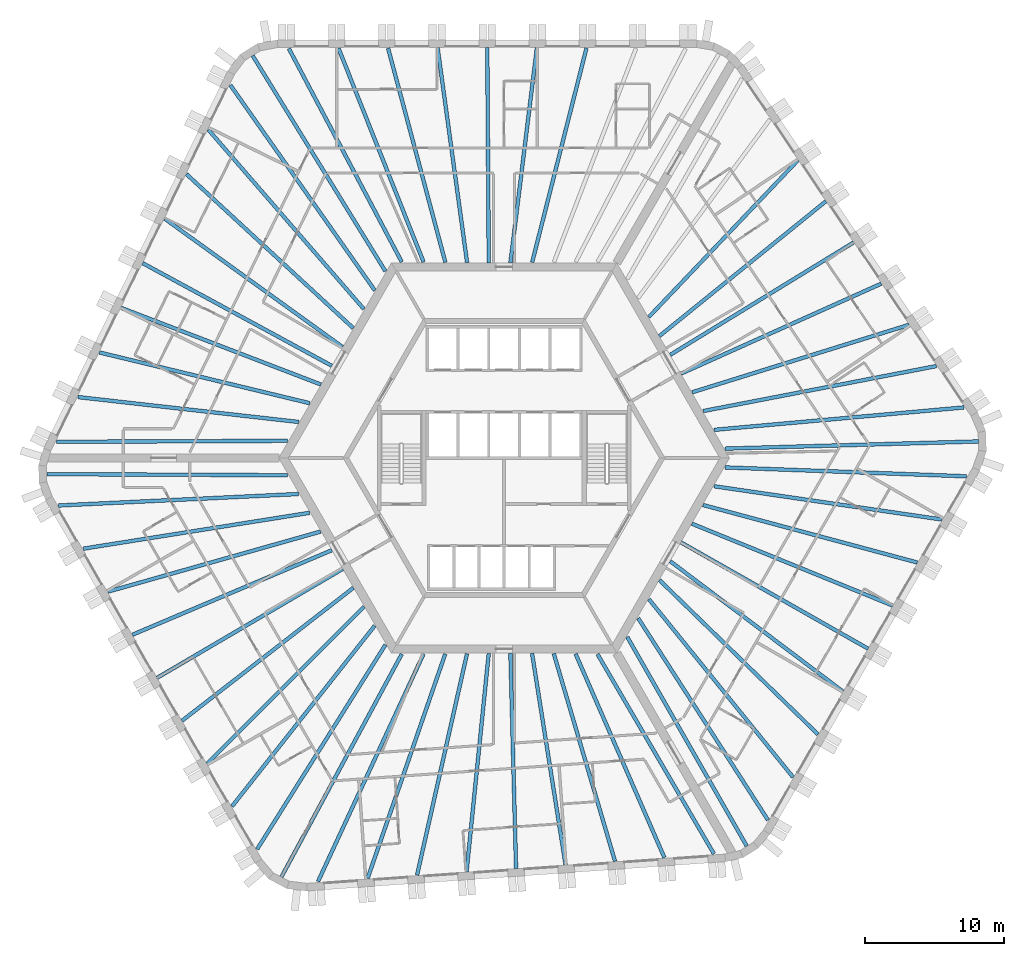
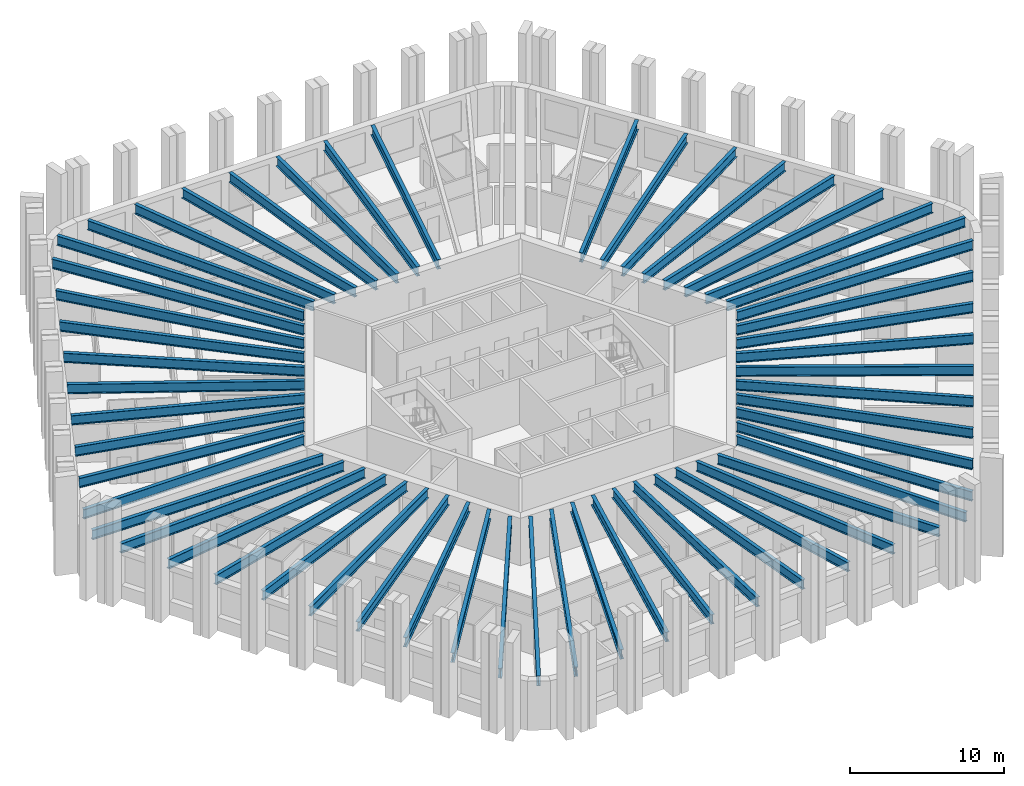
# One storey, part 1 of 13: 55 beams.
"""IFC4 building model written with IfcOpenShell, lengths in metres."""

from ifc_helpers import new_model, si_unit, direction, frame, origin, origin_2d, place, context, subcontext, project, spatial, i_section, extrude, material, material_profile, profile_set, type_object, element, save


model = new_model("IFC4")

# Units and contexts
model_context = context("Model", 3, precision=1e-05, world=origin(), true_north=direction((0.0, 1.0)))
body_context = subcontext(model_context, "Body", "Model", "MODEL_VIEW")
ifc_project = project(units=[si_unit("LENGTHUNIT", "METRE"), si_unit("AREAUNIT", "SQUARE_METRE"), si_unit("VOLUMEUNIT", "CUBIC_METRE"), si_unit("PLANEANGLEUNIT", "RADIAN"), si_unit("MASSUNIT", "GRAM", prefix="KILO")], contexts=[model_context])

# Site, building, storey
site_placement = place(None, origin())
site = spatial("IfcSite", under=ifc_project, at=site_placement, CompositionType="ELEMENT")
building_placement = place(site_placement, origin())
building = spatial("IfcBuilding", under=site, at=building_placement, Name="Tarnside Tower", CompositionType="ELEMENT")
storey_placement = place(building_placement, frame((0.0, 0.0, 92.10009765625)))
storey = spatial("IfcBuildingStorey", under=building, at=storey_placement, Name="L20", CompositionType="ELEMENT", Elevation=92.10009765625)

# Beams
ifc_material = material(Name="Steel S355", Category="steel")
ifc_material_profile_1 = material_profile(ifc_material, i_section(OverallWidth=0.26513671875, OverallDepth=0.75390625, WebThickness=0.0126953125, FlangeThickness=0.017578125, FilletRadius=0.0166015625, at=origin_2d()), Name="UB 762x267x147")
ifc_profile_set_1 = profile_set([ifc_material_profile_1], Name="Steel S355")
beam_type_1 = type_object("IfcBeamType", Name="Floor beam UB 762x267x147", PredefinedType="BEAM", material=ifc_profile_set_1)
beam_1_placement = place(storey_placement, frame((2.3525390625, 29.43017578125, 3.372802734375), z_axis=(-0.122329629165, -0.992489527314, 0.0), x_axis=(0.992489527314, -0.122329629165, 0.0)))
element("IfcBeam", 1, at=beam_1_placement, inside=storey, type_object=beam_type_1, Name="Floor beam F1.04", PredefinedType="BEAM", context=body_context, shape_type="SweptSolid", body=[
    extrude(i_section(OverallWidth=0.26513671875, OverallDepth=0.75390625, WebThickness=0.0126953125, FlangeThickness=0.017578125, FilletRadius=0.0166015625, at=origin_2d()), origin(), (0.0, 0.0, 1.0), 15.527099609375),
])
beam_2_placement = place(storey_placement, frame((-1.208984375, 29.449951171875, 3.372802734375), z_axis=(0.007000128723, -0.999975498799, 0.0), x_axis=(0.999975498799, 0.007000128723, 0.0)))
element("IfcBeam", 2, at=beam_2_placement, inside=storey, type_object=beam_type_1, Name="Floor beam F1.05", PredefinedType="BEAM", context=body_context, shape_type="SweptSolid", body=[
    extrude(i_section(OverallWidth=0.26513671875, OverallDepth=0.75390625, WebThickness=0.0126953125, FlangeThickness=0.017578125, FilletRadius=0.0166015625, at=origin_2d()), origin(), (0.0, 0.0, 1.0), 15.450439453125),
])
beam_3_placement = place(storey_placement, frame((-4.7705078125, 29.43017578125, 3.372802734375), z_axis=(0.136000560933, -0.990708760144, 0.0), x_axis=(0.990708760144, 0.136000560933, 0.0)))
element("IfcBeam", 3, at=beam_3_placement, inside=storey, type_object=beam_type_1, Name="Floor beam F1.06", PredefinedType="BEAM", context=body_context, shape_type="SweptSolid", body=[
    extrude(i_section(OverallWidth=0.26513671875, OverallDepth=0.75390625, WebThickness=0.0126953125, FlangeThickness=0.017578125, FilletRadius=0.0166015625, at=origin_2d()), origin(), (0.0, 0.0, 1.0), 15.554931640625),
])
beam_4_placement = place(storey_placement, frame((-24.348876953125, 17.168212890625, 3.372802734375), z_axis=(0.811027744825, -0.585007689799, 0.0), x_axis=(0.585007689799, 0.811027744825, 0.0)))
element("IfcBeam", 4, at=beam_4_placement, inside=storey, type_object=beam_type_1, Name="Floor beam F2.04", PredefinedType="BEAM", context=body_context, shape_type="SweptSolid", body=[
    extrude(i_section(OverallWidth=0.26513671875, OverallDepth=0.75390625, WebThickness=0.0126953125, FlangeThickness=0.017578125, FilletRadius=0.0166015625, at=origin_2d()), origin(), (0.0, 0.0, 1.0), 15.731689453125),
])
beam_5_placement = place(storey_placement, frame((-25.92626953125, 13.978271484375, 3.372802734375), z_axis=(0.878894567679, -0.477016078245, 0.0), x_axis=(0.477016078245, 0.878894567679, 0.0)))
element("IfcBeam", 5, at=beam_5_placement, inside=storey, type_object=beam_type_1, Name="Floor beam F2.05", PredefinedType="BEAM", context=body_context, shape_type="SweptSolid", body=[
    extrude(i_section(OverallWidth=0.26513671875, OverallDepth=0.75390625, WebThickness=0.0126953125, FlangeThickness=0.017578125, FilletRadius=0.0166015625, at=origin_2d()), origin(), (0.0, 0.0, 1.0), 15.427490234375),
])
beam_6_placement = place(storey_placement, frame((-27.487548828125, 10.77734375, 3.372802734375), z_axis=(0.933617702452, -0.358270827264, 0.0), x_axis=(0.358270827264, 0.933617702452, 0.0)))
element("IfcBeam", 6, at=beam_6_placement, inside=storey, type_object=beam_type_1, Name="Floor beam F2.06", PredefinedType="BEAM", context=body_context, shape_type="SweptSolid", body=[
    extrude(i_section(OverallWidth=0.26513671875, OverallDepth=0.75390625, WebThickness=0.0126953125, FlangeThickness=0.017578125, FilletRadius=0.0166015625, at=origin_2d()), origin(), (0.0, 0.0, 1.0), 15.363037109375),
])
beam_7_placement = place(storey_placement, frame((-29.029296875, 7.572509765625, 3.372802734375), z_axis=(0.972101750991, -0.234559556873, 0.0), x_axis=(0.234559556873, 0.972101750991, 0.0)))
element("IfcBeam", 7, at=beam_7_placement, inside=storey, type_object=beam_type_1, Name="Floor beam F2.07", PredefinedType="BEAM", context=body_context, shape_type="SweptSolid", body=[
    extrude(i_section(OverallWidth=0.26513671875, OverallDepth=0.75390625, WebThickness=0.0126953125, FlangeThickness=0.017578125, FilletRadius=0.0166015625, at=origin_2d()), origin(), (0.0, 0.0, 1.0), 15.522216796875),
])
beam_8_placement = place(storey_placement, frame((-26.66357421875, -12.677734375, 3.372802734375), z_axis=(0.920684021494, 0.390308765679, 0.0), x_axis=(-0.390308765679, 0.920684021494, 0.0)))
element("IfcBeam", 8, at=beam_8_placement, inside=storey, type_object=beam_type_1, Name="Floor beam F3.04", PredefinedType="BEAM", context=body_context, shape_type="SweptSolid", body=[
    extrude(i_section(OverallWidth=0.26513671875, OverallDepth=0.75390625, WebThickness=0.0126953125, FlangeThickness=0.017578125, FilletRadius=0.0166015625, at=origin_2d()), origin(), (0.0, 0.0, 1.0), 15.52685546875),
])
beam_9_placement = place(storey_placement, frame((-24.89990234375, -15.772216796875, 3.372802734375), z_axis=(0.862497502004, 0.506061319443, 0.0), x_axis=(-0.506061319443, 0.862497502004, 0.0)))
element("IfcBeam", 9, at=beam_9_placement, inside=storey, type_object=beam_type_1, Name="Floor beam F3.05", PredefinedType="BEAM", context=body_context, shape_type="SweptSolid", body=[
    extrude(i_section(OverallWidth=0.26513671875, OverallDepth=0.75390625, WebThickness=0.0126953125, FlangeThickness=0.017578125, FilletRadius=0.0166015625, at=origin_2d()), origin(), (0.0, 0.0, 1.0), 15.450439453125),
])
beam_10_placement = place(storey_placement, frame((-23.10205078125, -18.846435546875, 3.372802734375), z_axis=(0.789983963813, 0.613127504617, 0.0), x_axis=(-0.613127504617, 0.789983963813, 0.0)))
element("IfcBeam", 10, at=beam_10_placement, inside=storey, type_object=beam_type_1, Name="Floor beam F3.06", PredefinedType="BEAM", context=body_context, shape_type="SweptSolid", body=[
    extrude(i_section(OverallWidth=0.26513671875, OverallDepth=0.75390625, WebThickness=0.0126953125, FlangeThickness=0.017578125, FilletRadius=0.0166015625, at=origin_2d()), origin(), (0.0, 0.0, 1.0), 15.554931640625),
])
beam_11_placement = place(storey_placement, frame((-2.693603515625, -29.6708984375, 3.372802734375), z_axis=(0.101123115756, 0.994873919379, 0.0), x_axis=(-0.994873919379, 0.101123115756, 0.0)))
element("IfcBeam", 11, at=beam_11_placement, inside=storey, type_object=beam_type_1, Name="Floor beam F4.04", PredefinedType="BEAM", context=body_context, shape_type="SweptSolid", body=[
    extrude(i_section(OverallWidth=0.26513671875, OverallDepth=0.75390625, WebThickness=0.0126953125, FlangeThickness=0.017578125, FilletRadius=0.0166015625, at=origin_2d()), origin(), (0.0, 0.0, 1.0), 15.7314453125),
])
beam_12_placement = place(storey_placement, frame((0.857666015625, -29.44189453125, 3.372802734375), z_axis=(-0.026333316788, 0.999653218085, 0.0), x_axis=(-0.999653218085, -0.026333316788, 0.0)))
element("IfcBeam", 12, at=beam_12_placement, inside=storey, type_object=beam_type_1, Name="Floor beam F4.05", PredefinedType="BEAM", context=body_context, shape_type="SweptSolid", body=[
    extrude(i_section(OverallWidth=0.26513671875, OverallDepth=0.75390625, WebThickness=0.0126953125, FlangeThickness=0.017578125, FilletRadius=0.0166015625, at=origin_2d()), origin(), (0.0, 0.0, 1.0), 15.42724609375),
])
beam_13_placement = place(storey_placement, frame((4.41015625, -29.193603515625, 3.372802734375), z_axis=(-0.156513375907, 0.98767583911, 0.0), x_axis=(-0.98767583911, -0.156513375907, 0.0)))
element("IfcBeam", 13, at=beam_13_placement, inside=storey, type_object=beam_type_1, Name="Floor beam F4.06", PredefinedType="BEAM", context=body_context, shape_type="SweptSolid", body=[
    extrude(i_section(OverallWidth=0.26513671875, OverallDepth=0.75390625, WebThickness=0.0126953125, FlangeThickness=0.017578125, FilletRadius=0.0166015625, at=origin_2d()), origin(), (0.0, 0.0, 1.0), 15.36328125),
])
beam_14_placement = place(storey_placement, frame((7.956787109375, -28.926513671875, 3.372802734375), z_axis=(-0.282920694328, 0.959143305623, 0.0), x_axis=(-0.959143305623, -0.282920694328, 0.0)))
element("IfcBeam", 14, at=beam_14_placement, inside=storey, type_object=beam_type_1, Name="Floor beam F4.07", PredefinedType="BEAM", context=body_context, shape_type="SweptSolid", body=[
    extrude(i_section(OverallWidth=0.26513671875, OverallDepth=0.75390625, WebThickness=0.0126953125, FlangeThickness=0.017578125, FilletRadius=0.0166015625, at=origin_2d()), origin(), (0.0, 0.0, 1.0), 15.5224609375),
])
beam_15_placement = place(storey_placement, frame((24.31103515625, -16.75244140625, 3.372802734375), z_axis=(-0.798361152727, 0.602178935049, 0.0), x_axis=(-0.602178935049, -0.798361152727, 0.0)))
element("IfcBeam", 15, at=beam_15_placement, inside=storey, type_object=beam_type_1, Name="Floor beam F5.04", PredefinedType="BEAM", context=body_context, shape_type="SweptSolid", body=[
    extrude(i_section(OverallWidth=0.26513671875, OverallDepth=0.75390625, WebThickness=0.0126953125, FlangeThickness=0.017578125, FilletRadius=0.0166015625, at=origin_2d()), origin(), (0.0, 0.0, 1.0), 15.527099609375),
])
beam_16_placement = place(storey_placement, frame((26.10888671875, -13.677978515625, 3.372802734375), z_axis=(-0.869502520992, 0.493928502911, 0.0), x_axis=(-0.493928502911, -0.869502520992, 0.0)))
element("IfcBeam", 16, at=beam_16_placement, inside=storey, type_object=beam_type_1, Name="Floor beam F5.05", PredefinedType="BEAM", context=body_context, shape_type="SweptSolid", body=[
    extrude(i_section(OverallWidth=0.26513671875, OverallDepth=0.75390625, WebThickness=0.0126953125, FlangeThickness=0.017578125, FilletRadius=0.0166015625, at=origin_2d()), origin(), (0.0, 0.0, 1.0), 15.4501953125),
])
beam_17_placement = place(storey_placement, frame((27.87255859375, -10.58349609375, 3.372802734375), z_axis=(-0.925981621163, 0.377568586177, 0.0), x_axis=(-0.377568586177, -0.925981621163, 0.0)))
element("IfcBeam", 17, at=beam_17_placement, inside=storey, type_object=beam_type_1, Name="Floor beam F5.06", PredefinedType="BEAM", context=body_context, shape_type="SweptSolid", body=[
    extrude(i_section(OverallWidth=0.26513671875, OverallDepth=0.75390625, WebThickness=0.0126953125, FlangeThickness=0.017578125, FilletRadius=0.0166015625, at=origin_2d()), origin(), (0.0, 0.0, 1.0), 15.554931640625),
])
beam_18_placement = place(storey_placement, frame((27.04248046875, 12.502685546875, 3.372802734375), z_axis=(-0.912146413919, -0.409864513681, 0.0), x_axis=(0.409864513681, -0.912146413919, 0.0)))
element("IfcBeam", 18, at=beam_18_placement, inside=storey, type_object=beam_type_1, Name="Floor beam F6.04", PredefinedType="BEAM", context=body_context, shape_type="SweptSolid", body=[
    extrude(i_section(OverallWidth=0.26513671875, OverallDepth=0.75390625, WebThickness=0.0126953125, FlangeThickness=0.017578125, FilletRadius=0.0166015625, at=origin_2d()), origin(), (0.0, 0.0, 1.0), 15.7314453125),
])
beam_19_placement = place(storey_placement, frame((25.068603515625, 15.463623046875, 3.372802734375), z_axis=(-0.852558490017, -0.522631821744, 0.0), x_axis=(0.522631821744, -0.852558490017, 0.0)))
element("IfcBeam", 19, at=beam_19_placement, inside=storey, type_object=beam_type_1, Name="Floor beam F6.05", PredefinedType="BEAM", context=body_context, shape_type="SweptSolid", body=[
    extrude(i_section(OverallWidth=0.26513671875, OverallDepth=0.75390625, WebThickness=0.0126953125, FlangeThickness=0.017578125, FilletRadius=0.0166015625, at=origin_2d()), origin(), (0.0, 0.0, 1.0), 15.42724609375),
])
beam_20_placement = place(storey_placement, frame((23.0771484375, 18.416259765625, 3.372802734375), z_axis=(-0.777079423039, -0.629402550272, 0.0), x_axis=(0.629402550272, -0.777079423039, 0.0)))
element("IfcBeam", 20, at=beam_20_placement, inside=storey, type_object=beam_type_1, Name="Floor beam F6.06", PredefinedType="BEAM", context=body_context, shape_type="SweptSolid", body=[
    extrude(i_section(OverallWidth=0.26513671875, OverallDepth=0.75390625, WebThickness=0.0126953125, FlangeThickness=0.017578125, FilletRadius=0.0166015625, at=origin_2d()), origin(), (0.0, 0.0, 1.0), 15.36328125),
])
beam_21_placement = place(storey_placement, frame((21.072509765625, 21.35400390625, 3.372802734375), z_axis=(-0.689174694318, -0.724595225427, 0.0), x_axis=(0.724595225427, -0.689174694318, 0.0)))
element("IfcBeam", 21, at=beam_21_placement, inside=storey, type_object=beam_type_1, Name="Floor beam F6.07", PredefinedType="BEAM", context=body_context, shape_type="SweptSolid", body=[
    extrude(i_section(OverallWidth=0.26513671875, OverallDepth=0.75390625, WebThickness=0.0126953125, FlangeThickness=0.017578125, FilletRadius=0.0166015625, at=origin_2d()), origin(), (0.0, 0.0, 1.0), 15.522216796875),
])
ifc_material_profile_2 = material_profile(ifc_material, i_section(OverallWidth=0.2666015625, OverallDepth=0.76220703125, WebThickness=0.014404296875, FlangeThickness=0.021484375, FilletRadius=0.0166015625, at=origin_2d()), Name="UB 762x267x173")
ifc_profile_set_2 = profile_set([ifc_material_profile_2], Name="Steel S355")
beam_type_2 = type_object("IfcBeamType", Name="Floor beam UB 762x267x173", PredefinedType="BEAM", material=ifc_profile_set_2)
beam_22_placement = place(storey_placement, frame((5.909423828125, 29.4111328125, 3.368896484375), z_axis=(-0.245747281389, -0.969333933013, 0.0), x_axis=(0.969333933013, -0.245747281389, 0.0)))
element("IfcBeam", 22, at=beam_22_placement, inside=storey, type_object=beam_type_2, Name="Floor beam F1.03", PredefinedType="BEAM", context=body_context, shape_type="SweptSolid", body=[
    extrude(i_section(OverallWidth=0.2666015625, OverallDepth=0.76220703125, WebThickness=0.014404296875, FlangeThickness=0.021484375, FilletRadius=0.0166015625, at=origin_2d()), origin(), (0.0, 0.0, 1.0), 15.858642578125),
])
beam_23_placement = place(storey_placement, frame((-8.3271484375, 29.411376953125, 3.368896484375), z_axis=(0.258447478572, -0.966025310652, 0.0), x_axis=(0.966025310652, 0.258447478572, 0.0)))
element("IfcBeam", 23, at=beam_23_placement, inside=storey, type_object=beam_type_2, Name="Floor beam F1.07", PredefinedType="BEAM", context=body_context, shape_type="SweptSolid", body=[
    extrude(i_section(OverallWidth=0.2666015625, OverallDepth=0.76220703125, WebThickness=0.014404296875, FlangeThickness=0.021484375, FilletRadius=0.0166015625, at=origin_2d()), origin(), (0.0, 0.0, 1.0), 15.91357421875),
])
beam_24_placement = place(storey_placement, frame((-11.87939453125, 29.394287109375, 3.368896484375), z_axis=(0.369638204477, -0.929175762593, 0.0), x_axis=(0.929175762593, 0.369638204477, 0.0)))
element("IfcBeam", 24, at=beam_24_placement, inside=storey, type_object=beam_type_2, Name="Floor beam F1.08", PredefinedType="BEAM", context=body_context, shape_type="SweptSolid", body=[
    extrude(i_section(OverallWidth=0.2666015625, OverallDepth=0.76220703125, WebThickness=0.014404296875, FlangeThickness=0.021484375, FilletRadius=0.0166015625, at=origin_2d()), origin(), (0.0, 0.0, 1.0), 16.507568359375),
])
beam_25_placement = place(storey_placement, frame((-15.44580078125, 29.37939453125, 3.368896484375), z_axis=(0.467741993634, -0.883865050441, 0.0), x_axis=(0.883865050441, 0.467741993634, 0.0)))
element("IfcBeam", 25, at=beam_25_placement, inside=storey, type_object=beam_type_2, Name="Floor beam F1.09", PredefinedType="BEAM", context=body_context, shape_type="SweptSolid", body=[
    extrude(i_section(OverallWidth=0.2666015625, OverallDepth=0.76220703125, WebThickness=0.014404296875, FlangeThickness=0.021484375, FilletRadius=0.0166015625, at=origin_2d()), origin(), (0.0, 0.0, 1.0), 17.320068359375),
])
beam_26_placement = place(storey_placement, frame((-18.042236328125, 28.8701171875, 3.368896484375), z_axis=(0.524382977035, -0.851482526771, 0.0), x_axis=(0.851482526771, 0.524382977035, 0.0)))
element("IfcBeam", 26, at=beam_26_placement, inside=storey, type_object=beam_type_2, Name="Floor beam C1", PredefinedType="BEAM", context=body_context, shape_type="SweptSolid", body=[
    extrude(i_section(OverallWidth=0.2666015625, OverallDepth=0.76220703125, WebThickness=0.014404296875, FlangeThickness=0.021484375, FilletRadius=0.0166015625, at=origin_2d()), origin(), (0.0, 0.0, 1.0), 18.1728515625),
])
beam_27_placement = place(storey_placement, frame((-19.638671875, 26.75537109375, 3.368896484375), z_axis=(0.575411427849, -0.817864101609, 0.0), x_axis=(0.817864101609, 0.575411427849, 0.0)))
element("IfcBeam", 27, at=beam_27_placement, inside=storey, type_object=beam_type_2, Name="Floor beam F2.01", PredefinedType="BEAM", context=body_context, shape_type="SweptSolid", body=[
    extrude(i_section(OverallWidth=0.2666015625, OverallDepth=0.76220703125, WebThickness=0.014404296875, FlangeThickness=0.021484375, FilletRadius=0.0166015625, at=origin_2d()), origin(), (0.0, 0.0, 1.0), 18.00048828125),
])
beam_28_placement = place(storey_placement, frame((-21.21630859375, 23.554931640625, 3.368896484375), z_axis=(0.654980748073, -0.755645564834, 0.0), x_axis=(0.755645564834, 0.654980748073, 0.0)))
element("IfcBeam", 28, at=beam_28_placement, inside=storey, type_object=beam_type_2, Name="Floor beam F2.02", PredefinedType="BEAM", context=body_context, shape_type="SweptSolid", body=[
    extrude(i_section(OverallWidth=0.2666015625, OverallDepth=0.76220703125, WebThickness=0.014404296875, FlangeThickness=0.021484375, FilletRadius=0.0166015625, at=origin_2d()), origin(), (0.0, 0.0, 1.0), 17.0302734375),
])
beam_29_placement = place(storey_placement, frame((-22.7890625, 20.368408203125, 3.368896484375), z_axis=(0.734715474517, -0.678375391288, 0.0), x_axis=(0.678375391288, 0.734715474517, 0.0)))
element("IfcBeam", 29, at=beam_29_placement, inside=storey, type_object=beam_type_2, Name="Floor beam F2.03", PredefinedType="BEAM", context=body_context, shape_type="SweptSolid", body=[
    extrude(i_section(OverallWidth=0.2666015625, OverallDepth=0.76220703125, WebThickness=0.014404296875, FlangeThickness=0.021484375, FilletRadius=0.0166015625, at=origin_2d()), origin(), (0.0, 0.0, 1.0), 16.2802734375),
])
beam_30_placement = place(storey_placement, frame((-30.570556640625, 4.372802734375, 3.368896484375), z_axis=(0.993687302776, -0.112185312326, 0.0), x_axis=(0.112185312326, 0.993687302776, 0.0)))
element("IfcBeam", 30, at=beam_30_placement, inside=storey, type_object=beam_type_2, Name="Floor beam F2.08", PredefinedType="BEAM", context=body_context, shape_type="SweptSolid", body=[
    extrude(i_section(OverallWidth=0.2666015625, OverallDepth=0.76220703125, WebThickness=0.014404296875, FlangeThickness=0.021484375, FilletRadius=0.0166015625, at=origin_2d()), origin(), (0.0, 0.0, 1.0), 15.934326171875),
])
beam_31_placement = place(storey_placement, frame((-32.119384765625, 1.162109375, 3.368896484375), z_axis=(0.999990508787, 0.004356872304, 0.0), x_axis=(-0.004356872304, 0.999990508787, 0.0)))
element("IfcBeam", 31, at=beam_31_placement, inside=storey, type_object=beam_type_2, Name="Floor beam F2.09", PredefinedType="BEAM", context=body_context, shape_type="SweptSolid", body=[
    extrude(i_section(OverallWidth=0.2666015625, OverallDepth=0.76220703125, WebThickness=0.014404296875, FlangeThickness=0.021484375, FilletRadius=0.0166015625, at=origin_2d()), origin(), (0.0, 0.0, 1.0), 16.586669921875),
])
beam_32_placement = place(storey_placement, frame((-32.80712890625, -1.1572265625, 3.368896484375), z_axis=(0.999990027056, -0.004466070929, 0.0), x_axis=(0.004466070929, 0.999990027056, 0.0)))
element("IfcBeam", 32, at=beam_32_placement, inside=storey, type_object=beam_type_2, Name="Floor beam C2", PredefinedType="BEAM", context=body_context, shape_type="SweptSolid", body=[
    extrude(i_section(OverallWidth=0.2666015625, OverallDepth=0.76220703125, WebThickness=0.014404296875, FlangeThickness=0.021484375, FilletRadius=0.0166015625, at=origin_2d()), origin(), (0.0, 0.0, 1.0), 17.2744140625),
])
beam_33_placement = place(storey_placement, frame((-31.95703125, -3.406494140625, 3.368896484375), z_axis=(0.998853818522, 0.047864905982, 0.0), x_axis=(-0.047864905982, 0.998853818522, 0.0)))
element("IfcBeam", 33, at=beam_33_placement, inside=storey, type_object=beam_type_2, Name="Floor beam F3.01", PredefinedType="BEAM", context=body_context, shape_type="SweptSolid", body=[
    extrude(i_section(OverallWidth=0.2666015625, OverallDepth=0.76220703125, WebThickness=0.014404296875, FlangeThickness=0.021484375, FilletRadius=0.0166015625, at=origin_2d()), origin(), (0.0, 0.0, 1.0), 17.2197265625),
])
beam_34_placement = place(storey_placement, frame((-30.18701171875, -6.502685546875, 3.368896484375), z_axis=(0.987678477078, 0.156496728136, 0.0), x_axis=(-0.156496728136, 0.987678477078, 0.0)))
element("IfcBeam", 34, at=beam_34_placement, inside=storey, type_object=beam_type_2, Name="Floor beam F3.02", PredefinedType="BEAM", context=body_context, shape_type="SweptSolid", body=[
    extrude(i_section(OverallWidth=0.2666015625, OverallDepth=0.76220703125, WebThickness=0.014404296875, FlangeThickness=0.021484375, FilletRadius=0.0166015625, at=origin_2d()), origin(), (0.0, 0.0, 1.0), 16.4287109375),
])
beam_35_placement = place(storey_placement, frame((-28.425537109375, -9.587890625, 3.368896484375), z_axis=(0.962342240503, 0.271840784547, 0.0), x_axis=(-0.271840784547, 0.962342240503, 0.0)))
element("IfcBeam", 35, at=beam_35_placement, inside=storey, type_object=beam_type_2, Name="Floor beam F3.03", PredefinedType="BEAM", context=body_context, shape_type="SweptSolid", body=[
    extrude(i_section(OverallWidth=0.2666015625, OverallDepth=0.76220703125, WebThickness=0.014404296875, FlangeThickness=0.021484375, FilletRadius=0.0166015625, at=origin_2d()), origin(), (0.0, 0.0, 1.0), 15.858642578125),
])
beam_36_placement = place(storey_placement, frame((-21.307373046875, -21.917236328125, 3.368896484375), z_axis=(0.707367544857, 0.706845921318, 0.0), x_axis=(-0.706845921318, 0.707367544857, 0.0)))
element("IfcBeam", 36, at=beam_36_placement, inside=storey, type_object=beam_type_2, Name="Floor beam F3.07", PredefinedType="BEAM", context=body_context, shape_type="SweptSolid", body=[
    extrude(i_section(OverallWidth=0.2666015625, OverallDepth=0.76220703125, WebThickness=0.014404296875, FlangeThickness=0.021484375, FilletRadius=0.0166015625, at=origin_2d()), origin(), (0.0, 0.0, 1.0), 15.913330078125),
])
beam_37_placement = place(storey_placement, frame((-19.516357421875, -24.985107421875, 3.368896484375), z_axis=(0.619872995007, 0.784702153725, 0.0), x_axis=(-0.784702153725, 0.619872995007, 0.0)))
element("IfcBeam", 37, at=beam_37_placement, inside=storey, type_object=beam_type_2, Name="Floor beam F3.08", PredefinedType="BEAM", context=body_context, shape_type="SweptSolid", body=[
    extrude(i_section(OverallWidth=0.2666015625, OverallDepth=0.76220703125, WebThickness=0.014404296875, FlangeThickness=0.021484375, FilletRadius=0.0166015625, at=origin_2d()), origin(), (0.0, 0.0, 1.0), 16.507568359375),
])
beam_38_placement = place(storey_placement, frame((-17.72021484375, -28.066162109375, 3.368896484375), z_axis=(0.531583085704, 0.847006152866, 0.0), x_axis=(-0.847006152866, 0.531583085704, 0.0)))
element("IfcBeam", 38, at=beam_38_placement, inside=storey, type_object=beam_type_2, Name="Floor beam F3.09", PredefinedType="BEAM", context=body_context, shape_type="SweptSolid", body=[
    extrude(i_section(OverallWidth=0.2666015625, OverallDepth=0.76220703125, WebThickness=0.014404296875, FlangeThickness=0.021484375, FilletRadius=0.0166015625, at=origin_2d()), origin(), (0.0, 0.0, 1.0), 17.320068359375),
])
beam_39_placement = place(storey_placement, frame((-15.981201171875, -30.060302734375, 3.368896484375), z_axis=(0.475208200571, 0.879873380726, 0.0), x_axis=(-0.879873380726, 0.475208200571, 0.0)))
element("IfcBeam", 39, at=beam_39_placement, inside=storey, type_object=beam_type_2, Name="Floor beam C3", PredefinedType="BEAM", context=body_context, shape_type="SweptSolid", body=[
    extrude(i_section(OverallWidth=0.2666015625, OverallDepth=0.76220703125, WebThickness=0.014404296875, FlangeThickness=0.021484375, FilletRadius=0.0166015625, at=origin_2d()), origin(), (0.0, 0.0, 1.0), 18.173095703125),
])
beam_40_placement = place(storey_placement, frame((-13.3515625, -30.38525390625, 3.368896484375), z_axis=(0.42059199668, 0.907249895193, 0.0), x_axis=(-0.907249895193, 0.42059199668, 0.0)))
element("IfcBeam", 40, at=beam_40_placement, inside=storey, type_object=beam_type_2, Name="Floor beam F4.01", PredefinedType="BEAM", context=body_context, shape_type="SweptSolid", body=[
    extrude(i_section(OverallWidth=0.2666015625, OverallDepth=0.76220703125, WebThickness=0.014404296875, FlangeThickness=0.021484375, FilletRadius=0.0166015625, at=origin_2d()), origin(), (0.0, 0.0, 1.0), 18.000244140625),
])
beam_41_placement = place(storey_placement, frame((-9.791015625, -30.151123046875, 3.368896484375), z_axis=(0.326912128872, 0.945054739153, 0.0), x_axis=(-0.945054739153, 0.326912128872, 0.0)))
element("IfcBeam", 41, at=beam_41_placement, inside=storey, type_object=beam_type_2, Name="Floor beam F4.02", PredefinedType="BEAM", context=body_context, shape_type="SweptSolid", body=[
    extrude(i_section(OverallWidth=0.2666015625, OverallDepth=0.76220703125, WebThickness=0.014404296875, FlangeThickness=0.021484375, FilletRadius=0.0166015625, at=origin_2d()), origin(), (0.0, 0.0, 1.0), 17.0302734375),
])
beam_42_placement = place(storey_placement, frame((-6.2451171875, -29.920166015625, 3.368896484375), z_axis=(0.220139818673, 0.975468328668, 0.0), x_axis=(-0.975468328668, 0.220139818673, 0.0)))
element("IfcBeam", 42, at=beam_42_placement, inside=storey, type_object=beam_type_2, Name="Floor beam F4.03", PredefinedType="BEAM", context=body_context, shape_type="SweptSolid", body=[
    extrude(i_section(OverallWidth=0.2666015625, OverallDepth=0.76220703125, WebThickness=0.014404296875, FlangeThickness=0.021484375, FilletRadius=0.0166015625, at=origin_2d()), origin(), (0.0, 0.0, 1.0), 16.280517578125),
])
beam_43_placement = place(storey_placement, frame((11.498291015625, -28.6611328125, 3.368896484375), z_axis=(-0.399695682658, 0.916647893831, 0.0), x_axis=(-0.916647893831, -0.399695682658, 0.0)))
element("IfcBeam", 43, at=beam_43_placement, inside=storey, type_object=beam_type_2, Name="Floor beam F4.08", PredefinedType="BEAM", context=body_context, shape_type="SweptSolid", body=[
    extrude(i_section(OverallWidth=0.2666015625, OverallDepth=0.76220703125, WebThickness=0.014404296875, FlangeThickness=0.021484375, FilletRadius=0.0166015625, at=origin_2d()), origin(), (0.0, 0.0, 1.0), 15.934326171875),
])
beam_44_placement = place(storey_placement, frame((15.05322265625, -28.3974609375, 3.368896484375), z_axis=(-0.503758455062, 0.86384455717, 0.0), x_axis=(-0.86384455717, -0.503758455062, 0.0)))
element("IfcBeam", 44, at=beam_44_placement, inside=storey, type_object=beam_type_2, Name="Floor beam F4.09", PredefinedType="BEAM", context=body_context, shape_type="SweptSolid", body=[
    extrude(i_section(OverallWidth=0.2666015625, OverallDepth=0.76220703125, WebThickness=0.014404296875, FlangeThickness=0.021484375, FilletRadius=0.0166015625, at=origin_2d()), origin(), (0.0, 0.0, 1.0), 16.586669921875),
])
beam_45_placement = place(storey_placement, frame((17.40576171875, -27.833251953125, 3.368896484375), z_axis=(-0.496126762138, 0.868250099851, 0.0), x_axis=(-0.868250099851, -0.496126762138, 0.0)))
element("IfcBeam", 45, at=beam_45_placement, inside=storey, type_object=beam_type_2, Name="Floor beam C4", PredefinedType="BEAM", context=body_context, shape_type="SweptSolid", body=[
    extrude(i_section(OverallWidth=0.2666015625, OverallDepth=0.76220703125, WebThickness=0.014404296875, FlangeThickness=0.021484375, FilletRadius=0.0166015625, at=origin_2d()), origin(), (0.0, 0.0, 1.0), 17.2744140625),
])
beam_46_placement = place(storey_placement, frame((18.9287109375, -25.972412109375, 3.368896484375), z_axis=(-0.540872954463, 0.841104302171, 0.0), x_axis=(-0.841104302171, -0.540872954463, 0.0)))
element("IfcBeam", 46, at=beam_46_placement, inside=storey, type_object=beam_type_2, Name="Floor beam F5.01", PredefinedType="BEAM", context=body_context, shape_type="SweptSolid", body=[
    extrude(i_section(OverallWidth=0.2666015625, OverallDepth=0.76220703125, WebThickness=0.014404296875, FlangeThickness=0.021484375, FilletRadius=0.0166015625, at=origin_2d()), origin(), (0.0, 0.0, 1.0), 17.2197265625),
])
beam_47_placement = place(storey_placement, frame((20.72509765625, -22.89111328125, 3.368896484375), z_axis=(-0.62939015525, 0.777089462336, 0.0), x_axis=(-0.777089462336, -0.62939015525, 0.0)))
element("IfcBeam", 47, at=beam_47_placement, inside=storey, type_object=beam_type_2, Name="Floor beam F5.02", PredefinedType="BEAM", context=body_context, shape_type="SweptSolid", body=[
    extrude(i_section(OverallWidth=0.2666015625, OverallDepth=0.76220703125, WebThickness=0.014404296875, FlangeThickness=0.021484375, FilletRadius=0.0166015625, at=origin_2d()), origin(), (0.0, 0.0, 1.0), 16.4287109375),
])
beam_48_placement = place(storey_placement, frame((22.51611328125, -19.8232421875, 3.368896484375), z_axis=(-0.716594696052, 0.697489814686, 0.0), x_axis=(-0.697489814686, -0.716594696052, 0.0)))
element("IfcBeam", 48, at=beam_48_placement, inside=storey, type_object=beam_type_2, Name="Floor beam F5.03", PredefinedType="BEAM", context=body_context, shape_type="SweptSolid", body=[
    extrude(i_section(OverallWidth=0.2666015625, OverallDepth=0.76220703125, WebThickness=0.014404296875, FlangeThickness=0.021484375, FilletRadius=0.0166015625, at=origin_2d()), origin(), (0.0, 0.0, 1.0), 15.858642578125),
])
beam_49_placement = place(storey_placement, frame((29.634521484375, -7.494140625, 3.368896484375), z_axis=(-0.965827851395, 0.259184415946, 0.0), x_axis=(-0.259184415946, -0.965827851395, 0.0)))
element("IfcBeam", 49, at=beam_49_placement, inside=storey, type_object=beam_type_2, Name="Floor beam F5.07", PredefinedType="BEAM", context=body_context, shape_type="SweptSolid", body=[
    extrude(i_section(OverallWidth=0.2666015625, OverallDepth=0.76220703125, WebThickness=0.014404296875, FlangeThickness=0.021484375, FilletRadius=0.0166015625, at=origin_2d()), origin(), (0.0, 0.0, 1.0), 15.913330078125),
])
beam_50_placement = place(storey_placement, frame((31.39599609375, -4.4091796875, 3.368896484375), z_axis=(-0.989507887412, 0.144478859177, 0.0), x_axis=(-0.144478859177, -0.989507887412, 0.0)))
element("IfcBeam", 50, at=beam_50_placement, inside=storey, type_object=beam_type_2, Name="Floor beam F5.08", PredefinedType="BEAM", context=body_context, shape_type="SweptSolid", body=[
    extrude(i_section(OverallWidth=0.2666015625, OverallDepth=0.76220703125, WebThickness=0.014404296875, FlangeThickness=0.021484375, FilletRadius=0.0166015625, at=origin_2d()), origin(), (0.0, 0.0, 1.0), 16.507568359375),
])
beam_51_placement = place(storey_placement, frame((33.166259765625, -1.31298828125, 3.368896484375), z_axis=(-0.999320941149, 0.036846391708, 0.0), x_axis=(-0.036846391708, -0.999320941149, 0.0)))
element("IfcBeam", 51, at=beam_51_placement, inside=storey, type_object=beam_type_2, Name="Floor beam F5.09", PredefinedType="BEAM", context=body_context, shape_type="SweptSolid", body=[
    extrude(i_section(OverallWidth=0.2666015625, OverallDepth=0.76220703125, WebThickness=0.014404296875, FlangeThickness=0.021484375, FilletRadius=0.0166015625, at=origin_2d()), origin(), (0.0, 0.0, 1.0), 17.320068359375),
])
beam_52_placement = place(storey_placement, frame((34.0234375, 1.18994140625, 3.368896484375), z_axis=(-0.999597013499, -0.028386803343, 0.0), x_axis=(0.028386803343, -0.999597013499, 0.0)))
element("IfcBeam", 52, at=beam_52_placement, inside=storey, type_object=beam_type_2, Name="Floor beam C5", PredefinedType="BEAM", context=body_context, shape_type="SweptSolid", body=[
    extrude(i_section(OverallWidth=0.2666015625, OverallDepth=0.76220703125, WebThickness=0.014404296875, FlangeThickness=0.021484375, FilletRadius=0.0166015625, at=origin_2d()), origin(), (0.0, 0.0, 1.0), 18.1728515625),
])
beam_53_placement = place(storey_placement, frame((32.990234375, 3.6298828125, 3.368896484375), z_axis=(-0.995997485142, -0.089381259731, 0.0), x_axis=(0.089381259731, -0.995997485142, 0.0)))
element("IfcBeam", 53, at=beam_53_placement, inside=storey, type_object=beam_type_2, Name="Floor beam F6.01", PredefinedType="BEAM", context=body_context, shape_type="SweptSolid", body=[
    extrude(i_section(OverallWidth=0.2666015625, OverallDepth=0.76220703125, WebThickness=0.014404296875, FlangeThickness=0.021484375, FilletRadius=0.0166015625, at=origin_2d()), origin(), (0.0, 0.0, 1.0), 18.000244140625),
])
beam_54_placement = place(storey_placement, frame((31.007080078125, 6.596435546875, 3.368896484375), z_axis=(-0.981896564922, -0.189417886679, 0.0), x_axis=(0.189417886679, -0.981896564922, 0.0)))
element("IfcBeam", 54, at=beam_54_placement, inside=storey, type_object=beam_type_2, Name="Floor beam F6.02", PredefinedType="BEAM", context=body_context, shape_type="SweptSolid", body=[
    extrude(i_section(OverallWidth=0.2666015625, OverallDepth=0.76220703125, WebThickness=0.014404296875, FlangeThickness=0.021484375, FilletRadius=0.0166015625, at=origin_2d()), origin(), (0.0, 0.0, 1.0), 17.0302734375),
])
beam_55_placement = place(storey_placement, frame((29.0341796875, 9.5517578125, 3.368896484375), z_axis=(-0.954846945108, -0.297098151152, 0.0), x_axis=(0.297098151152, -0.954846945108, 0.0)))
element("IfcBeam", 55, at=beam_55_placement, inside=storey, type_object=beam_type_2, Name="Floor beam F6.03", PredefinedType="BEAM", context=body_context, shape_type="SweptSolid", body=[
    extrude(i_section(OverallWidth=0.2666015625, OverallDepth=0.76220703125, WebThickness=0.014404296875, FlangeThickness=0.021484375, FilletRadius=0.0166015625, at=origin_2d()), origin(), (0.0, 0.0, 1.0), 16.280517578125),
])

save(model, "model.ifc")
